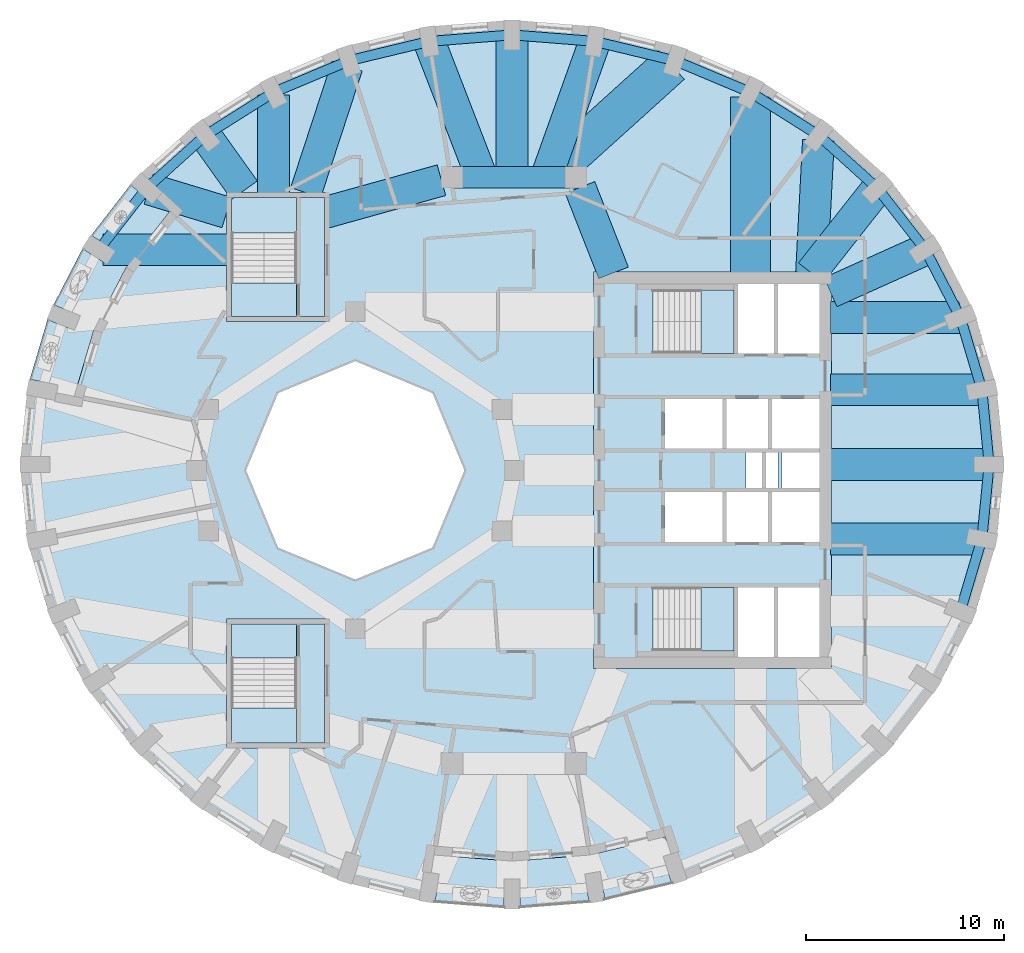
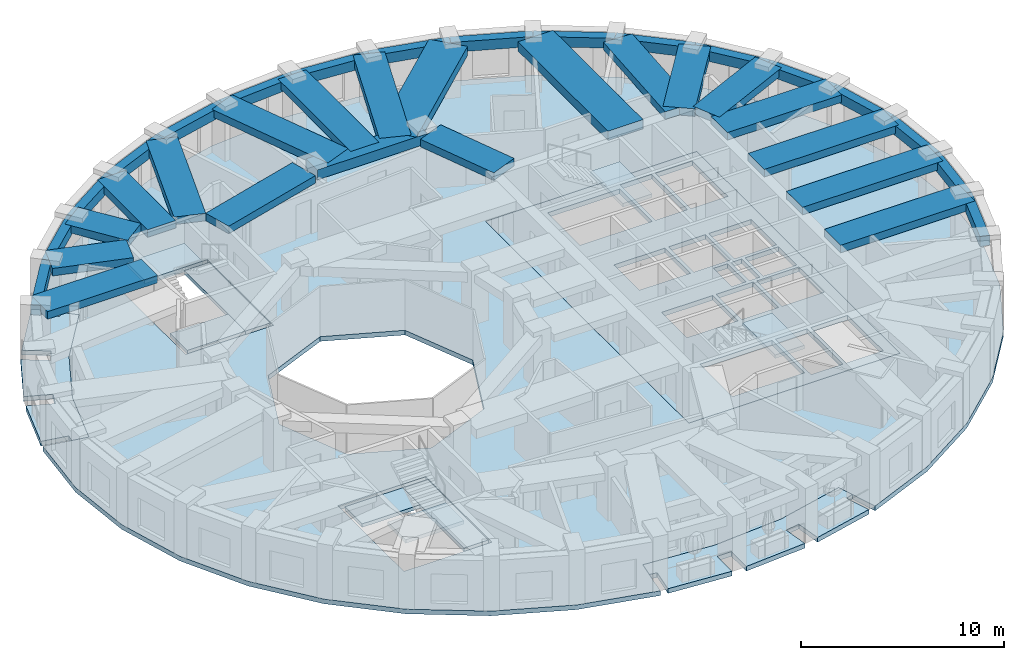
# One storey, part 2 of 12: 37 beams, 12 slabs, 4 elements without a shape of their own.
"""IFC4 building model written with IfcOpenShell, lengths in metres."""

from ifc_helpers import new_model, si_unit, direction, frame, origin, origin_2d, place, context, subcontext, project, spatial, polyline, rectangle, outline, extrude, material, layer, layer_set, material_profile, profile_set, type_object, element, aggregate, save


model = new_model("IFC4")

# Units and contexts
model_context = context("Model", 3, precision=1e-05, world=origin(), true_north=direction((0.0, 1.0)))
body_context = subcontext(model_context, "Body", "Model", "MODEL_VIEW")
ifc_project = project(units=[si_unit("LENGTHUNIT", "METRE"), si_unit("AREAUNIT", "SQUARE_METRE"), si_unit("VOLUMEUNIT", "CUBIC_METRE"), si_unit("PLANEANGLEUNIT", "RADIAN"), si_unit("MASSUNIT", "GRAM", prefix="KILO")], contexts=[model_context])

# Site, building, storey
site_placement = place(None, origin())
site = spatial("IfcSite", under=ifc_project, at=site_placement, CompositionType="ELEMENT")
building_placement = place(site_placement, origin())
building = spatial("IfcBuilding", under=site, at=building_placement, Name="Taillehof Tower", CompositionType="ELEMENT")
storey_placement = place(building_placement, frame((0.0, 0.0, 243.199951171875)))
storey = spatial("IfcBuildingStorey", under=building, at=storey_placement, Name="L69", CompositionType="ELEMENT", Elevation=243.199951171875)

# Beams
ifc_material_1 = material(Name="Concrete C50/60", Category="concrete")
ifc_material_profile_1 = material_profile(ifc_material_1, rectangle(XDim=1.10009765625, YDim=0.60009765625, at=origin_2d()), Name="RC 1100x600")
ifc_profile_set_1 = profile_set([ifc_material_profile_1], Name="Concrete C50/60")
beam_type_1 = type_object("IfcBeamType", Name="Mid-ring beam C50/60 1100x600", PredefinedType="BEAM", material=ifc_profile_set_1)
beam_1_placement = place(storey_placement, frame((3.125732421875, 14.772216796875, 2.719970703125), z_axis=(-1.0, 0.0, 0.0), x_axis=(0.0, -1.0, 0.0)))
element("IfcBeam", 1, at=beam_1_placement, inside=storey, type_object=beam_type_1, Name="Mid-ring beam MB01", PredefinedType="BEAM", context=body_context, shape_type="SweptSolid", body=[
    extrude(rectangle(XDim=1.10009765625, YDim=0.60009765625, at=origin_2d()), origin(), (0.0, 0.0, 1.0), 6.25146484375),
])
ifc_material_2 = material(Name="Concrete C50/60", Category="concrete")
ifc_material_profile_2 = material_profile(ifc_material_2, rectangle(XDim=1.60009765625, YDim=0.449951171875, at=origin_2d()), Name="RC 1600x450")
ifc_profile_set_2 = profile_set([ifc_material_profile_2], Name="Concrete C50/60")
beam_type_2 = type_object("IfcBeamType", Name="Radial band beam C50/60 1600x450", PredefinedType="BEAM", material=ifc_profile_set_2)
beam_2_placement = place(storey_placement, frame((23.949951171875, 0.300048828125, 2.795166015625), z_axis=(-1.0, 0.0, 0.0), x_axis=(0.0, -1.0, 0.0)))
element("IfcBeam", 2, at=beam_2_placement, inside=storey, type_object=beam_type_2, Name="Radial band beam RB01", PredefinedType="BEAM", context=body_context, shape_type="SweptSolid", body=[
    extrude(rectangle(XDim=1.60009765625, YDim=0.449951171875, at=origin_2d()), origin(), (0.0, 0.0, 1.0), 8.0),
])
beam_3_placement = place(storey_placement, frame((23.584716796875, 4.0595703125, 2.795166015625), z_axis=(-1.0, 0.0, 0.0), x_axis=(0.0, -1.0, 0.0)))
element("IfcBeam", 3, at=beam_3_placement, inside=storey, type_object=beam_type_2, Name="Radial band beam RB02", PredefinedType="BEAM", context=body_context, shape_type="SweptSolid", body=[
    extrude(rectangle(XDim=1.60009765625, YDim=0.449951171875, at=origin_2d()), origin(), (0.0, 0.0, 1.0), 7.634765625),
])
beam_4_placement = place(storey_placement, frame((22.44580078125, 7.704833984375, 2.795166015625), z_axis=(-1.0, 0.0, 0.0), x_axis=(0.0, -1.0, 0.0)))
element("IfcBeam", 4, at=beam_4_placement, inside=storey, type_object=beam_type_2, Name="Radial band beam RB03", PredefinedType="BEAM", context=body_context, shape_type="SweptSolid", body=[
    extrude(rectangle(XDim=1.60009765625, YDim=0.449951171875, at=origin_2d()), origin(), (0.0, 0.0, 1.0), 6.495849609375),
])
beam_5_placement = place(storey_placement, frame((20.72802734375, 11.125, 2.795166015625), z_axis=(-0.912110813011, -0.409943733685, 0.0), x_axis=(0.409943733685, -0.912110813011, 0.0)))
element("IfcBeam", 5, at=beam_5_placement, inside=storey, type_object=beam_type_2, Name="Radial band beam RB04", PredefinedType="BEAM", context=body_context, shape_type="SweptSolid", body=[
    extrude(rectangle(XDim=1.60009765625, YDim=0.449951171875, at=origin_2d()), origin(), (0.0, 0.0, 1.0), 5.233642578125),
])
beam_6_placement = place(storey_placement, frame((18.323486328125, 14.21630859375, 2.795166015625), z_axis=(-0.619052480422, -0.785349620541, 0.0), x_axis=(0.785349620541, -0.619052480422, 0.0)))
element("IfcBeam", 6, at=beam_6_placement, inside=storey, type_object=beam_type_2, Name="Radial band beam RB05", PredefinedType="BEAM", context=body_context, shape_type="SweptSolid", body=[
    extrude(rectangle(XDim=1.60009765625, YDim=0.449951171875, at=origin_2d()), origin(), (0.0, 0.0, 1.0), 5.418701171875),
])
beam_7_placement = place(storey_placement, frame((15.3466796875, 16.645751953125, 2.795166015625), z_axis=(-0.052105887855, -0.998641565553, 0.0), x_axis=(0.998641565553, -0.052105887855, 0.0)))
element("IfcBeam", 7, at=beam_7_placement, inside=storey, type_object=beam_type_2, Name="Radial band beam RB06", PredefinedType="BEAM", context=body_context, shape_type="SweptSolid", body=[
    extrude(rectangle(XDim=1.60009765625, YDim=0.449951171875, at=origin_2d()), origin(), (0.0, 0.0, 1.0), 6.704833984375),
])
beam_8_placement = place(storey_placement, frame((4.076171875, 21.62109375, 2.795166015625), z_axis=(-0.33687426523, -0.941549642571, 0.0), x_axis=(0.941549642571, -0.33687426523, 0.0)))
element("IfcBeam", 8, at=beam_8_placement, inside=storey, type_object=beam_type_2, Name="Radial band beam RB09", PredefinedType="BEAM", context=body_context, shape_type="SweptSolid", body=[
    extrude(rectangle(XDim=1.60009765625, YDim=0.449951171875, at=origin_2d()), origin(), (0.0, 0.0, 1.0), 7.27392578125),
])
beam_9_placement = place(storey_placement, frame((-0.10009765625, 21.949951171875, 2.795166015625), z_axis=(0.0, -1.0, 0.0), x_axis=(1.0, 0.0, 0.0)))
element("IfcBeam", 9, at=beam_9_placement, inside=storey, type_object=beam_type_2, Name="Radial band beam RB10", PredefinedType="BEAM", context=body_context, shape_type="SweptSolid", body=[
    extrude(rectangle(XDim=1.60009765625, YDim=0.449951171875, at=origin_2d()), origin(), (0.0, 0.0, 1.0), 7.177734375),
])
beam_10_placement = place(storey_placement, frame((-4.276123046875, 21.62109375, 2.795166015625), z_axis=(0.360900836016, -0.932604196089, 0.0), x_axis=(0.932604196089, 0.360900836016, 0.0)))
element("IfcBeam", 10, at=beam_10_placement, inside=storey, type_object=beam_type_2, Name="Radial band beam RB11", PredefinedType="BEAM", context=body_context, shape_type="SweptSolid", body=[
    extrude(rectangle(XDim=1.60009765625, YDim=0.449951171875, at=origin_2d()), origin(), (0.0, 0.0, 1.0), 7.34375),
])
beam_11_placement = place(storey_placement, frame((-8.41162109375, 20.38134765625, 2.795166015625), z_axis=(-0.311042642597, -0.950395956687, 0.0), x_axis=(0.950395956687, -0.311042642597, 0.0)))
element("IfcBeam", 11, at=beam_11_placement, inside=storey, type_object=beam_type_2, Name="Radial band beam RB12", PredefinedType="BEAM", context=body_context, shape_type="SweptSolid", body=[
    extrude(rectangle(XDim=1.60009765625, YDim=0.449951171875, at=origin_2d()), origin(), (0.0, 0.0, 1.0), 6.715576171875),
])
beam_12_placement = place(storey_placement, frame((-12.125, 18.91552734375, 2.795166015625), z_axis=(0.0, -1.0, 0.0), x_axis=(1.0, 0.0, 0.0)))
element("IfcBeam", 12, at=beam_12_placement, inside=storey, type_object=beam_type_2, Name="Radial band beam RB13", PredefinedType="BEAM", context=body_context, shape_type="SweptSolid", body=[
    extrude(rectangle(XDim=1.60009765625, YDim=0.449951171875, at=origin_2d()), origin(), (0.0, 0.0, 1.0), 4.965576171875),
])
beam_13_placement = place(storey_placement, frame((-15.55908203125, 16.884765625, 2.795166015625), z_axis=(0.580959197129, -0.813932682272, 0.0), x_axis=(0.813932682272, 0.580959197129, 0.0)))
element("IfcBeam", 13, at=beam_13_placement, inside=storey, type_object=beam_type_2, Name="Radial band beam RB14", PredefinedType="BEAM", context=body_context, shape_type="SweptSolid", body=[
    extrude(rectangle(XDim=1.60009765625, YDim=0.449951171875, at=origin_2d()), origin(), (0.0, 0.0, 1.0), 3.394287109375),
])
beam_14_placement = place(storey_placement, frame((-18.413818359375, 14.18310546875, 2.795166015625), z_axis=(0.957221394865, -0.289356529584, 0.0), x_axis=(0.289356529584, 0.957221394865, 0.0)))
element("IfcBeam", 14, at=beam_14_placement, inside=storey, type_object=beam_type_2, Name="Radial band beam RB15", PredefinedType="BEAM", context=body_context, shape_type="SweptSolid", body=[
    extrude(rectangle(XDim=1.60009765625, YDim=0.449951171875, at=origin_2d()), origin(), (0.0, 0.0, 1.0), 4.102294921875),
])
beam_15_placement = place(storey_placement, frame((-20.7119140625, 11.125, 2.795166015625), z_axis=(1.0, 0.0, 0.0), x_axis=(0.0, 1.0, 0.0)))
element("IfcBeam", 15, at=beam_15_placement, inside=storey, type_object=beam_type_2, Name="Radial band beam RB16", PredefinedType="BEAM", context=body_context, shape_type="SweptSolid", body=[
    extrude(rectangle(XDim=1.60009765625, YDim=0.449951171875, at=origin_2d()), origin(), (0.0, 0.0, 1.0), 6.261962890625),
])
beam_16_placement = place(storey_placement, frame((23.584716796875, -3.45947265625, 2.795166015625), z_axis=(-1.0, 0.0, 0.0), x_axis=(0.0, -1.0, 0.0)))
element("IfcBeam", 16, at=beam_16_placement, inside=storey, type_object=beam_type_2, Name="Radial band beam RB36", PredefinedType="BEAM", context=body_context, shape_type="SweptSolid", body=[
    extrude(rectangle(XDim=1.60009765625, YDim=0.449951171875, at=origin_2d()), origin(), (0.0, 0.0, 1.0), 7.634765625),
])
beam_17_placement = place(storey_placement, frame((3.32666015625, 14.26025390625, 2.795166015625), z_axis=(0.365588707223, -0.930776502255, 0.0), x_axis=(0.930776502255, 0.365588707223, 0.0)))
element("IfcBeam", 17, at=beam_17_placement, inside=storey, type_object=beam_type_2, Name="Inner band beam IB205", PredefinedType="BEAM", context=body_context, shape_type="SweptSolid", body=[
    extrude(rectangle(XDim=1.60009765625, YDim=0.449951171875, at=origin_2d()), origin(), (0.0, 0.0, 1.0), 4.627197265625),
])
beam_18_placement = place(storey_placement, frame((-3.655517578125, 14.624755859375, 2.795166015625), z_axis=(-0.963459369536, -0.267854518821, 0.0), x_axis=(0.267854518821, -0.963459369536, 0.0)))
element("IfcBeam", 18, at=beam_18_placement, inside=storey, type_object=beam_type_2, Name="Inner band beam IB206", PredefinedType="BEAM", context=body_context, shape_type="SweptSolid", body=[
    extrude(rectangle(XDim=1.60009765625, YDim=0.449951171875, at=origin_2d()), origin(), (0.0, 0.0, 1.0), 6.096923828125),
])
ifc_material_3 = material(Name="Concrete C50/60", Category="concrete")
ifc_material_profile_3 = material_profile(ifc_material_3, rectangle(XDim=2.0, YDim=0.550048828125, at=origin_2d()), Name="RC 2000x550")
ifc_profile_set_3 = profile_set([ifc_material_profile_3], Name="Concrete C50/60")
beam_type_3 = type_object("IfcBeamType", Name="Radial band beam C50/60 2000x550", PredefinedType="BEAM", material=ifc_profile_set_3)
beam_19_placement = place(storey_placement, frame((11.925048828125, 18.8115234375, 2.7451171875), z_axis=(0.0, -1.0, 0.0), x_axis=(1.0, 0.0, 0.0)))
element("IfcBeam", 19, at=beam_19_placement, inside=storey, type_object=beam_type_3, Name="Radial band beam RB07", PredefinedType="BEAM", context=body_context, shape_type="SweptSolid", body=[
    extrude(rectangle(XDim=2.0, YDim=0.550048828125, at=origin_2d()), origin(), (0.0, 0.0, 1.0), 8.861572265625),
])
beam_20_placement = place(storey_placement, frame((7.9150390625, 20.4541015625, 2.7451171875), z_axis=(-0.742031364941, -0.670365164253, 0.0), x_axis=(0.670365164253, -0.742031364941, 0.0)))
element("IfcBeam", 20, at=beam_20_placement, inside=storey, type_object=beam_type_3, Name="Radial band beam RB08", PredefinedType="BEAM", context=body_context, shape_type="SweptSolid", body=[
    extrude(rectangle(XDim=2.0, YDim=0.550048828125, at=origin_2d()), origin(), (0.0, 0.0, 1.0), 8.189453125),
])
ifc_material_4 = material(Name="Concrete C50/60", Category="concrete")
ifc_material_profile_4 = material_profile(ifc_material_4, rectangle(XDim=0.5, YDim=0.60009765625, at=origin_2d()), Name="RC 500x600")
ifc_profile_set_4 = profile_set([ifc_material_profile_4], Name="Concrete C50/60")
beam_type_4 = type_object("IfcBeamType", Name="Spandrel beam C50/60 500x600", PredefinedType="SPANDREL", material=ifc_profile_set_4)
beam_21_placement = place(storey_placement, frame((23.949951171875, 0.300048828125, 2.719970703125), z_axis=(-0.096693940319, 0.995314162416, 0.0), x_axis=(-0.995314162416, -0.096693940319, 0.0)))
element("IfcBeam", 21, at=beam_21_placement, inside=storey, type_object=beam_type_4, Name="Spandrel beam SB01", PredefinedType="SPANDREL", context=body_context, shape_type="SweptSolid", body=[
    extrude(rectangle(XDim=0.5, YDim=0.60009765625, at=origin_2d()), origin(), (0.0, 0.0, 1.0), 3.777099609375),
])
beam_22_placement = place(storey_placement, frame((23.584716796875, 4.0595703125, 2.719970703125), z_axis=(-0.285327303248, 0.95843013831, 0.0), x_axis=(-0.95843013831, -0.285327303248, 0.0)))
element("IfcBeam", 22, at=beam_22_placement, inside=storey, type_object=beam_type_4, Name="Spandrel beam SB02", PredefinedType="SPANDREL", context=body_context, shape_type="SweptSolid", body=[
    extrude(rectangle(XDim=0.5, YDim=0.60009765625, at=origin_2d()), origin(), (0.0, 0.0, 1.0), 3.803466796875),
])
beam_23_placement = place(storey_placement, frame((22.49951171875, 7.704833984375, 2.719970703125), z_axis=(-0.45992118545, 0.887959741865, 0.0), x_axis=(-0.887959741865, -0.45992118545, 0.0)))
element("IfcBeam", 23, at=beam_23_placement, inside=storey, type_object=beam_type_4, Name="Spandrel beam SB03", PredefinedType="SPANDREL", context=body_context, shape_type="SweptSolid", body=[
    extrude(rectangle(XDim=0.5, YDim=0.60009765625, at=origin_2d()), origin(), (0.0, 0.0, 1.0), 3.851806640625),
])
beam_24_placement = place(storey_placement, frame((20.72802734375, 11.125, 2.719970703125), z_axis=(-0.613970823209, 0.78932872002, 0.0), x_axis=(-0.78932872002, -0.613970823209, 0.0)))
element("IfcBeam", 24, at=beam_24_placement, inside=storey, type_object=beam_type_4, Name="Spandrel beam SB04", PredefinedType="SPANDREL", context=body_context, shape_type="SweptSolid", body=[
    extrude(rectangle(XDim=0.5, YDim=0.60009765625, at=origin_2d()), origin(), (0.0, 0.0, 1.0), 3.916259765625),
])
beam_25_placement = place(storey_placement, frame((18.323486328125, 14.21630859375, 2.719970703125), z_axis=(-0.743227182134, 0.669039128704, 0.0), x_axis=(-0.669039128704, -0.743227182134, 0.0)))
element("IfcBeam", 25, at=beam_25_placement, inside=storey, type_object=beam_type_4, Name="Spandrel beam SB05", PredefinedType="SPANDREL", context=body_context, shape_type="SweptSolid", body=[
    extrude(rectangle(XDim=0.5, YDim=0.60009765625, at=origin_2d()), origin(), (0.0, 0.0, 1.0), 3.988525390625),
])
beam_26_placement = place(storey_placement, frame((15.359130859375, 16.884765625, 2.719970703125), z_axis=(-0.845944476237, 0.5332709847, 0.0), x_axis=(-0.5332709847, -0.845944476237, 0.0)))
element("IfcBeam", 26, at=beam_26_placement, inside=storey, type_object=beam_type_4, Name="Spandrel beam SB06", PredefinedType="SPANDREL", context=body_context, shape_type="SweptSolid", body=[
    extrude(rectangle(XDim=0.5, YDim=0.60009765625, at=origin_2d()), origin(), (0.0, 0.0, 1.0), 4.0595703125),
])
beam_27_placement = place(storey_placement, frame((11.925048828125, 19.049560546875, 2.719970703125), z_axis=(-0.922076419735, 0.387007850267, 0.0), x_axis=(-0.387007850267, -0.922076419735, 0.0)))
element("IfcBeam", 27, at=beam_27_placement, inside=storey, type_object=beam_type_4, Name="Spandrel beam SB07", PredefinedType="SPANDREL", context=body_context, shape_type="SweptSolid", body=[
    extrude(rectangle(XDim=0.5, YDim=0.60009765625, at=origin_2d()), origin(), (0.0, 0.0, 1.0), 4.12060546875),
])
beam_28_placement = place(storey_placement, frame((8.12548828125, 20.644287109375, 2.719970703125), z_axis=(-0.972115850295, 0.234501116425, 0.0), x_axis=(-0.234501116425, -0.972115850295, 0.0)))
element("IfcBeam", 28, at=beam_28_placement, inside=storey, type_object=beam_type_4, Name="Spandrel beam SB08", PredefinedType="SPANDREL", context=body_context, shape_type="SweptSolid", body=[
    extrude(rectangle(XDim=0.5, YDim=0.60009765625, at=origin_2d()), origin(), (0.0, 0.0, 1.0), 4.16552734375),
])
beam_29_placement = place(storey_placement, frame((4.076171875, 21.62109375, 2.719970703125), z_axis=(-0.996914011582, 0.078501296247, 0.0), x_axis=(-0.078501296247, -0.996914011582, 0.0)))
element("IfcBeam", 29, at=beam_29_placement, inside=storey, type_object=beam_type_4, Name="Spandrel beam SB09", PredefinedType="SPANDREL", context=body_context, shape_type="SweptSolid", body=[
    extrude(rectangle(XDim=0.5, YDim=0.60009765625, at=origin_2d()), origin(), (0.0, 0.0, 1.0), 4.189208984375),
])
beam_30_placement = place(storey_placement, frame((-0.10009765625, 21.949951171875, 2.719970703125), z_axis=(-0.996913652411, -0.07850585734, 0.0), x_axis=(0.07850585734, -0.996913652411, 0.0)))
element("IfcBeam", 30, at=beam_30_placement, inside=storey, type_object=beam_type_4, Name="Spandrel beam SB10", PredefinedType="SPANDREL", context=body_context, shape_type="SweptSolid", body=[
    extrude(rectangle(XDim=0.5, YDim=0.60009765625, at=origin_2d()), origin(), (0.0, 0.0, 1.0), 4.18896484375),
])
beam_31_placement = place(storey_placement, frame((-4.276123046875, 21.62109375, 2.719970703125), z_axis=(-0.972119073064, -0.234487756154, 0.0), x_axis=(0.234487756154, -0.972119073064, 0.0)))
element("IfcBeam", 31, at=beam_31_placement, inside=storey, type_object=beam_type_4, Name="Spandrel beam SB11", PredefinedType="SPANDREL", context=body_context, shape_type="SweptSolid", body=[
    extrude(rectangle(XDim=0.5, YDim=0.60009765625, at=origin_2d()), origin(), (0.0, 0.0, 1.0), 4.165771484375),
])
beam_32_placement = place(storey_placement, frame((-8.32568359375, 20.644287109375, 2.719970703125), z_axis=(-0.922067545136, -0.387028994013, 0.0), x_axis=(0.387028994013, -0.922067545136, 0.0)))
element("IfcBeam", 32, at=beam_32_placement, inside=storey, type_object=beam_type_4, Name="Spandrel beam SB12", PredefinedType="SPANDREL", context=body_context, shape_type="SweptSolid", body=[
    extrude(rectangle(XDim=0.5, YDim=0.60009765625, at=origin_2d()), origin(), (0.0, 0.0, 1.0), 4.120361328125),
])
beam_33_placement = place(storey_placement, frame((-12.125, 19.049560546875, 2.719970703125), z_axis=(-0.845944476237, -0.5332709847, 0.0), x_axis=(0.5332709847, -0.845944476237, 0.0)))
element("IfcBeam", 33, at=beam_33_placement, inside=storey, type_object=beam_type_4, Name="Spandrel beam SB13", PredefinedType="SPANDREL", context=body_context, shape_type="SweptSolid", body=[
    extrude(rectangle(XDim=0.5, YDim=0.60009765625, at=origin_2d()), origin(), (0.0, 0.0, 1.0), 4.0595703125),
])
beam_34_placement = place(storey_placement, frame((-15.55908203125, 16.884765625, 2.719970703125), z_axis=(-0.743227182134, -0.669039128704, 0.0), x_axis=(0.669039128704, -0.743227182134, 0.0)))
element("IfcBeam", 34, at=beam_34_placement, inside=storey, type_object=beam_type_4, Name="Spandrel beam SB14", PredefinedType="SPANDREL", context=body_context, shape_type="SweptSolid", body=[
    extrude(rectangle(XDim=0.5, YDim=0.60009765625, at=origin_2d()), origin(), (0.0, 0.0, 1.0), 3.988525390625),
])
beam_35_placement = place(storey_placement, frame((-18.5234375, 14.21630859375, 2.719970703125), z_axis=(-0.613970823209, -0.78932872002, 0.0), x_axis=(0.78932872002, -0.613970823209, 0.0)))
element("IfcBeam", 35, at=beam_35_placement, inside=storey, type_object=beam_type_4, Name="Spandrel beam SB15", PredefinedType="SPANDREL", context=body_context, shape_type="SweptSolid", body=[
    extrude(rectangle(XDim=0.5, YDim=0.60009765625, at=origin_2d()), origin(), (0.0, 0.0, 1.0), 3.916259765625),
])
beam_36_placement = place(storey_placement, frame((22.49951171875, -7.104736328125, 2.719970703125), z_axis=(0.285327303248, 0.95843013831, 0.0), x_axis=(-0.95843013831, 0.285327303248, 0.0)))
element("IfcBeam", 36, at=beam_36_placement, inside=storey, type_object=beam_type_4, Name="Spandrel beam SB35", PredefinedType="SPANDREL", context=body_context, shape_type="SweptSolid", body=[
    extrude(rectangle(XDim=0.5, YDim=0.60009765625, at=origin_2d()), origin(), (0.0, 0.0, 1.0), 3.803466796875),
])
beam_37_placement = place(storey_placement, frame((23.584716796875, -3.45947265625, 2.719970703125), z_axis=(0.096693940319, 0.995314162416, 0.0), x_axis=(-0.995314162416, 0.096693940319, 0.0)))
element("IfcBeam", 37, at=beam_37_placement, inside=storey, type_object=beam_type_4, Name="Spandrel beam SB36", PredefinedType="SPANDREL", context=body_context, shape_type="SweptSolid", body=[
    extrude(rectangle(XDim=0.5, YDim=0.60009765625, at=origin_2d()), origin(), (0.0, 0.0, 1.0), 3.777099609375),
])

# Slabs
ifc_material_5 = material(Name="Concrete C40/50", Category="concrete")
ifc_layer_1 = layer(ifc_material_5, 0.280029296875)
ifc_layer_set_1 = layer_set([ifc_layer_1], Name="Balcony slab 280")
slab_type_1 = type_object("IfcSlabType", Name="Balcony slab 280", PredefinedType="USERDEFINED", material=ifc_layer_set_1)
slab_1_placement = place(storey_placement, frame((0.0, 0.0, -0.280029296875)))
element("IfcSlab", 38, at=slab_1_placement, inside=storey, type_object=slab_type_1, Name="Balcony L69 pocket 8", ObjectType="BALCONY", PredefinedType="USERDEFINED", context=body_context, shape_type="SweptSolid", body=[
    extrude(outline(polyline([(7.632568359375, -18.46923828125), (7.913818359375, -19.324462890625), (7.511474609375, -19.456787109375), (7.968994140625, -20.84912109375), (4.584228515625, -21.668212890625), (4.353271484375, -20.217529296875), (3.563232421875, -20.34326171875), (3.7939453125, -21.792236328125), (0.300048828125, -22.068359375), (0.300048828125, -20.60009765625), (-0.5, -20.60009765625), (-0.5, -22.068359375), (-3.994140625, -21.792236328125), (-3.76318359375, -20.34326171875), (-4.170654296875, -20.278564453125), (-4.029052734375, -19.3896484375), (-0.10009765625, -19.699951171875), (3.8291015625, -19.3896484375), (7.632568359375, -18.46923828125)])), origin(), (0.0, 0.0, 1.0), 0.280029296875),
])
slab_2_placement = place(storey_placement, frame((0.0, 0.0, -0.280029296875)))
element("IfcSlab", 39, at=slab_2_placement, inside=storey, type_object=slab_type_1, Name="Balcony L69 pocket 4", ObjectType="BALCONY", PredefinedType="USERDEFINED", context=body_context, shape_type="SweptSolid", body=[
    extrude(outline(polyline([(-22.167724609375, 3.72998046875), (-23.051025390625, 3.90234375), (-22.971923828125, 4.308349609375), (-24.405029296875, 4.588134765625), (-23.511474609375, 7.6005859375), (-22.153564453125, 7.053466796875), (-21.8544921875, 7.79541015625), (-23.208251953125, 8.341064453125), (-21.74609375, 11.17333984375), (-20.511474609375, 10.384033203125), (-20.08056640625, 11.05810546875), (-21.310546875, 11.84423828125), (-19.320556640625, 14.4111328125), (-18.24609375, 13.412841796875), (-17.999755859375, 13.67822265625), (-17.339599609375, 13.06494140625), (-19.55517578125, 10.20751953125), (-21.17822265625, 7.064208984375), (-22.167724609375, 3.72998046875)])), origin(), (0.0, 0.0, 1.0), 0.280029296875),
])
ifc_material_6 = material(Name="Concrete C40/50", Category="concrete")
ifc_layer_2 = layer(ifc_material_6, 0.280029296875)
ifc_layer_set_2 = layer_set([ifc_layer_2], Name="Core floor slab C40/50 280")
slab_type_2 = type_object("IfcSlabType", Name="Core floor slab C40/50 280", PredefinedType="FLOOR", material=ifc_layer_set_2)
slab_3_placement = place(storey_placement, frame((0.0, 0.0, -0.280029296875)))
element("IfcSlab", 40, at=slab_3_placement, inside=storey, type_object=slab_type_2, Name="Core floor L69", PredefinedType="FLOOR", context=body_context, shape_type="SweptSolid", body=[
    extrude(outline(polyline([(4.0, -10.0), (4.0, 10.0), (16.0, 10.0), (16.0, -10.0), (4.0, -10.0)]), holes=[polyline([(11.10009765625, -9.10009765625), (11.10009765625, -5.89990234375), (7.00048828125, -5.89990234375), (7.00048828125, -9.10009765625), (11.10009765625, -9.10009765625)]), polyline([(10.5, -3.60009765625), (10.5, -1.10009765625), (7.60009765625, -1.10009765625), (7.60009765625, -3.60009765625), (10.5, -3.60009765625)]), polyline([(12.800048828125, -3.60009765625), (12.800048828125, -1.10009765625), (10.699951171875, -1.10009765625), (10.699951171875, -3.60009765625), (12.800048828125, -3.60009765625)]), polyline([(12.5, -0.89990234375), (12.5, 0.89990234375), (11.699951171875, 0.89990234375), (11.699951171875, -0.89990234375), (12.5, -0.89990234375)]), polyline([(10.5, 1.10009765625), (10.5, 3.60009765625), (7.60009765625, 3.60009765625), (7.60009765625, 1.10009765625), (10.5, 1.10009765625)]), polyline([(12.800048828125, 1.10009765625), (12.800048828125, 3.60009765625), (10.699951171875, 3.60009765625), (10.699951171875, 1.10009765625), (12.800048828125, 1.10009765625)]), polyline([(11.10009765625, 5.89990234375), (11.10009765625, 9.10009765625), (7.00048828125, 9.10009765625), (7.00048828125, 5.89990234375), (11.10009765625, 5.89990234375)]), polyline([(13.10009765625, 5.89990234375), (13.10009765625, 9.39990234375), (11.300048828125, 9.39990234375), (11.300048828125, 5.89990234375), (13.10009765625, 5.89990234375)]), polyline([(13.10009765625, -9.39990234375), (13.10009765625, -5.89990234375), (11.300048828125, -5.89990234375), (11.300048828125, -9.39990234375), (13.10009765625, -9.39990234375)]), polyline([(15.39990234375, -9.39990234375), (15.39990234375, -5.89990234375), (13.300048828125, -5.89990234375), (13.300048828125, -9.39990234375), (15.39990234375, -9.39990234375)]), polyline([(15.39990234375, -3.60009765625), (15.39990234375, -1.10009765625), (13.0, -1.10009765625), (13.0, -3.60009765625), (15.39990234375, -3.60009765625)]), polyline([(13.300048828125, -0.89990234375), (13.300048828125, 0.89990234375), (12.699951171875, 0.89990234375), (12.699951171875, -0.89990234375), (13.300048828125, -0.89990234375)]), polyline([(15.39990234375, -0.89990234375), (15.39990234375, 0.89990234375), (13.5, 0.89990234375), (13.5, -0.89990234375), (15.39990234375, -0.89990234375)]), polyline([(15.39990234375, 1.10009765625), (15.39990234375, 3.60009765625), (13.0, 3.60009765625), (13.0, 1.10009765625), (15.39990234375, 1.10009765625)]), polyline([(15.39990234375, 5.89990234375), (15.39990234375, 9.39990234375), (13.300048828125, 9.39990234375), (13.300048828125, 5.89990234375), (15.39990234375, 5.89990234375)])]), origin(), (0.0, 0.0, 1.0), 0.280029296875),
])
ifc_material_7 = material(Name="Concrete C40/50", Category="concrete")
ifc_layer_3 = layer(ifc_material_7, 0.280029296875)
ifc_layer_set_3 = layer_set([ifc_layer_3], Name="Floor slab 280")
slab_type_3 = type_object("IfcSlabType", Name="Floor slab 280", PredefinedType="FLOOR", material=ifc_layer_set_3)
slab_4_placement = place(storey_placement, frame((0.0, 0.0, -0.280029296875)))
element("IfcSlab", 41, at=slab_4_placement, inside=storey, type_object=slab_type_3, Name="Floor slab L69", PredefinedType="FLOOR", context=body_context, shape_type="SweptSolid", body=[
    extrude(outline(polyline([(24.699951171875, 0.300048828125), (24.3232421875, 4.189697265625), (23.204345703125, 7.961181640625), (21.37744140625, 11.5), (18.89794921875, 14.698486328125), (15.841064453125, 17.45947265625), (12.300048828125, 19.698974609375), (8.382080078125, 21.34912109375), (4.20654296875, 22.359619140625), (-0.10009765625, 22.699951171875), (-4.406494140625, 22.359619140625), (-8.58203125, 21.34912109375), (-12.5, 19.698974609375), (-16.041015625, 17.45947265625), (-19.097900390625, 14.698486328125), (-17.339599609375, 13.06494140625), (-19.555419921875, 10.20751953125), (-21.17822265625, 7.064208984375), (-22.167724609375, 3.72998046875), (-24.523193359375, 4.189697265625), (-24.89990234375, 0.300048828125), (-24.523193359375, -3.589599609375), (-23.404296875, -7.361328125), (-21.577392578125, -10.89990234375), (-19.097900390625, -14.098388671875), (-16.041015625, -16.859375), (-12.5, -19.09912109375), (-8.58203125, -20.7490234375), (-4.406494140625, -21.759765625), (-4.029052734375, -19.3896484375), (-0.10009765625, -19.699951171875), (3.8291015625, -19.3896484375), (7.632568359375, -18.46923828125), (8.382080078125, -20.7490234375), (12.300048828125, -19.09912109375), (15.841064453125, -16.859375), (18.89794921875, -14.098388671875), (21.37744140625, -10.89990234375), (23.204345703125, -7.361328125), (24.3232421875, -3.589599609375), (24.699951171875, 0.300048828125)]), holes=[polyline([(-14.5, -7.5), (-9.5, -7.5), (-9.5, -14.0), (-14.5, -14.0), (-14.5, -7.5)]), polyline([(-8.0, -5.5), (-11.88916015625, -3.88916015625), (-13.5, 0.0), (-11.88916015625, 3.88916015625), (-8.0, 5.5), (-4.11083984375, 3.88916015625), (-2.5, 0.0), (-4.11083984375, -3.88916015625), (-8.0, -5.5)]), polyline([(16.0, 10.0), (16.0, -10.0), (4.0, -10.0), (4.0, 10.0), (16.0, 10.0)]), polyline([(-14.5, 14.0), (-9.5, 14.0), (-9.5, 7.5), (-14.5, 7.5), (-14.5, 14.0)])]), origin(), (0.0, 0.0, 1.0), 0.280029296875),
])

# Stair, slab
ifc_material_8 = material(Name="Concrete C40/50", Category="concrete")
stair_type = type_object("IfcStairType", Name="Exit stair half-turn", PredefinedType="HALF_TURN_STAIR", material=ifc_material_8)
stair_1_placement = place(storey_placement, origin())
stair_1 = element("IfcStair", 42, at=stair_1_placement, inside=storey, type_object=stair_type, Name="Exit stair S1", PredefinedType="HALF_TURN_STAIR")
ifc_material_9 = material(Name="Concrete C40/50", Category="concrete")
ifc_layer_4 = layer(ifc_material_9, 0.2099609375)
ifc_layer_set_4 = layer_set([ifc_layer_4], Name="Stair landing C40/50 210")
slab_type_4 = type_object("IfcSlabType", Name="Stair landing C40/50 210", PredefinedType="LANDING", material=ifc_layer_set_4)
slab_5_placement = place(storey_placement, frame((0.0, 0.0, 1.43994140625)))
slab_5 = element("IfcSlab", 43, at=slab_5_placement, type_object=slab_type_4, Name="S1 landing 1", PredefinedType="LANDING", context=body_context, shape_type="SweptSolid", body=[
    extrude(outline(polyline([(9.429931640625, 5.89990234375), (11.10009765625, 5.89990234375), (11.10009765625, 9.10009765625), (9.429931640625, 9.10009765625), (9.429931640625, 5.89990234375)])), origin(), (0.0, 0.0, 1.0), 0.210205078125),
])
aggregate(stair_1, [slab_5])

stair_2_placement = place(storey_placement, origin())
stair_2 = element("IfcStair", 44, at=stair_2_placement, inside=storey, type_object=stair_type, Name="Exit stair S2", PredefinedType="HALF_TURN_STAIR")
slab_6_placement = place(storey_placement, frame((0.0, 0.0, 1.43994140625)))
slab_6 = element("IfcSlab", 45, at=slab_6_placement, type_object=slab_type_4, Name="S2 landing 1", PredefinedType="LANDING", context=body_context, shape_type="SweptSolid", body=[
    extrude(outline(polyline([(9.429931640625, -5.89990234375), (11.10009765625, -5.89990234375), (11.10009765625, -9.10009765625), (9.429931640625, -9.10009765625), (9.429931640625, -5.89990234375)])), origin(), (0.0, 0.0, 1.0), 0.210205078125),
])
aggregate(stair_2, [slab_6])

stair_3_placement = place(storey_placement, origin())
stair_3 = element("IfcStair", 46, at=stair_3_placement, inside=storey, type_object=stair_type, Name="Exit stair S3", PredefinedType="HALF_TURN_STAIR")
slab_7_placement = place(storey_placement, frame((0.0, 0.0, 1.43994140625)))
slab_7 = element("IfcSlab", 47, at=slab_7_placement, type_object=slab_type_4, Name="S3 landing 1", PredefinedType="LANDING", context=body_context, shape_type="SweptSolid", body=[
    extrude(outline(polyline([(-14.25, 11.969970703125), (-14.25, 13.75), (-10.949951171875, 13.75), (-10.949951171875, 11.969970703125), (-14.25, 11.969970703125)])), origin(), (0.0, 0.0, 1.0), 0.210205078125),
])
aggregate(stair_3, [slab_7])

stair_4_placement = place(storey_placement, origin())
stair_4 = element("IfcStair", 48, at=stair_4_placement, inside=storey, type_object=stair_type, Name="Exit stair S4", PredefinedType="HALF_TURN_STAIR")
slab_8_placement = place(storey_placement, frame((0.0, 0.0, 1.43994140625)))
slab_8 = element("IfcSlab", 49, at=slab_8_placement, type_object=slab_type_4, Name="S4 landing 1", PredefinedType="LANDING", context=body_context, shape_type="SweptSolid", body=[
    extrude(outline(polyline([(-14.25, -11.969970703125), (-14.25, -13.75), (-10.949951171875, -13.75), (-10.949951171875, -11.969970703125), (-14.25, -11.969970703125)])), origin(), (0.0, 0.0, 1.0), 0.210205078125),
])
aggregate(stair_4, [slab_8])

# Slabs
slab_9_placement = place(storey_placement, frame((0.0, 0.0, -0.2099609375)))
element("IfcSlab", 50, at=slab_9_placement, inside=storey, type_object=slab_type_4, Name="Stair S3 floor landing", PredefinedType="LANDING", context=body_context, shape_type="SweptSolid", body=[
    extrude(outline(polyline([(-14.25, 7.75), (-14.25, 9.449951171875), (-10.949951171875, 9.449951171875), (-10.949951171875, 7.75), (-14.25, 7.75)])), origin(), (0.0, 0.0, 1.0), 0.2099609375),
])
slab_10_placement = place(storey_placement, frame((0.0, 0.0, -0.2099609375)))
element("IfcSlab", 51, at=slab_10_placement, inside=storey, type_object=slab_type_4, Name="Stair lobby S3 floor", PredefinedType="LANDING", context=body_context, shape_type="SweptSolid", body=[
    extrude(outline(polyline([(-10.949951171875, 7.75), (-9.550048828125, 7.75), (-9.550048828125, 13.75), (-10.949951171875, 13.75), (-10.949951171875, 7.75)])), origin(), (0.0, 0.0, 1.0), 0.2099609375),
])
slab_11_placement = place(storey_placement, frame((0.0, 0.0, -0.2099609375)))
element("IfcSlab", 52, at=slab_11_placement, inside=storey, type_object=slab_type_4, Name="Stair S4 floor landing", PredefinedType="LANDING", context=body_context, shape_type="SweptSolid", body=[
    extrude(outline(polyline([(-14.25, -7.75), (-14.25, -9.449951171875), (-10.949951171875, -9.449951171875), (-10.949951171875, -7.75), (-14.25, -7.75)])), origin(), (0.0, 0.0, 1.0), 0.2099609375),
])
slab_12_placement = place(storey_placement, frame((0.0, 0.0, -0.2099609375)))
element("IfcSlab", 53, at=slab_12_placement, inside=storey, type_object=slab_type_4, Name="Stair lobby S4 floor", PredefinedType="LANDING", context=body_context, shape_type="SweptSolid", body=[
    extrude(outline(polyline([(-10.949951171875, -13.75), (-9.550048828125, -13.75), (-9.550048828125, -7.75), (-10.949951171875, -7.75), (-10.949951171875, -13.75)])), origin(), (0.0, 0.0, 1.0), 0.2099609375),
])

save(model, "model.ifc")
